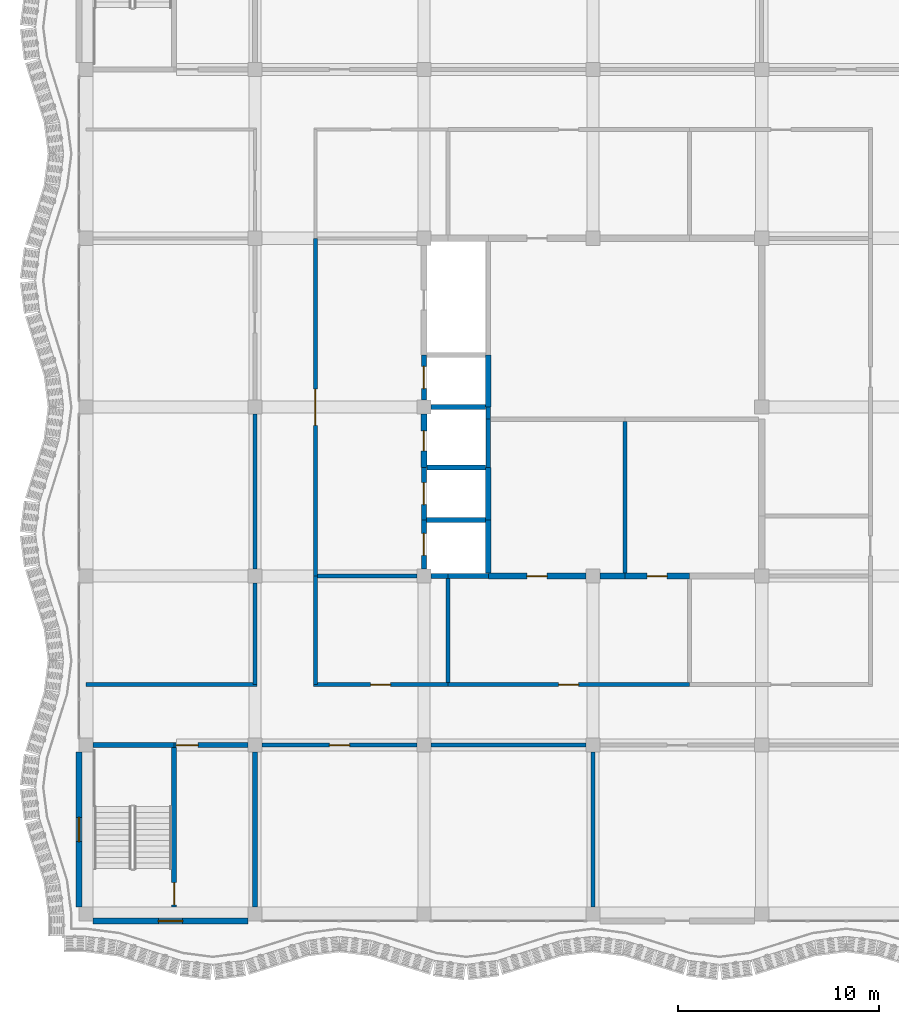
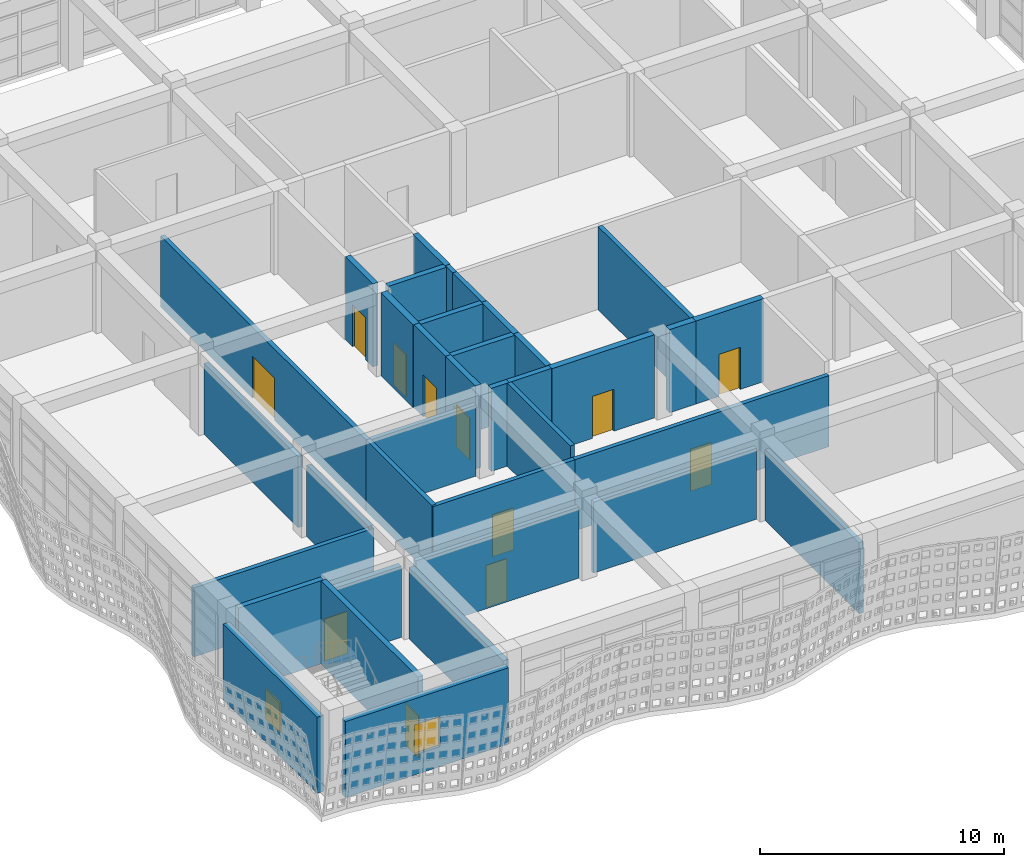
# One storey, part 110 of 163: 36 walls, 12 doors, 2 windows, 14 openings.
"""IFC4 building model written with IfcOpenShell, lengths in metres."""

from ifc_helpers import new_model, si_unit, direction, frame, frame_2d, origin, place, context, subcontext, project, spatial, rectangle, extrude, material, layer, layer_set, type_object, element, fill, save


model = new_model("IFC4")

# Units and contexts
model_context = context("Model", 3, precision=1e-05, world=origin(), true_north=direction((0.0, 1.0)))
body_context = subcontext(model_context, "Body", "Model", "MODEL_VIEW")
ifc_project = project(units=[si_unit("LENGTHUNIT", "METRE"), si_unit("AREAUNIT", "SQUARE_METRE"), si_unit("VOLUMEUNIT", "CUBIC_METRE"), si_unit("PLANEANGLEUNIT", "RADIAN"), si_unit("MASSUNIT", "GRAM", prefix="KILO")], contexts=[model_context])

# Site, building, storey
site_placement = place(None, origin())
site = spatial("IfcSite", under=ifc_project, at=site_placement, CompositionType="ELEMENT")
building_placement = place(site_placement, origin())
building = spatial("IfcBuilding", under=site, at=building_placement, Name="Rain Tree Exposition and Congress Centre", CompositionType="ELEMENT")
storey_placement = place(building_placement, frame((0.0, 0.0, 10.5)))
storey = spatial("IfcBuildingStorey", under=building, at=storey_placement, Name="L02", CompositionType="ELEMENT", Elevation=10.5)

# Wall, opening, door
ifc_material_1 = material(Name="Plasterboard on steel stud", Category="steel")
ifc_layer_1 = layer(ifc_material_1, 0.199951171875)
ifc_layer_set_1 = layer_set([ifc_layer_1], Name="Plasterboard on steel stud")
wall_type_1 = type_object("IfcWallType", Name="Wing acoustic partition 200", PredefinedType="PARTITIONING", material=ifc_layer_set_1)
wall_1_placement = place(storey_placement, frame((8.75, 8.39990234375, 0.0), z_axis=(0.0, 0.0, 1.0), x_axis=(1.0, 0.0, 0.0)))
wall_1 = element("IfcWall", 1, at=wall_1_placement, inside=storey, type_object=wall_type_1, Name="wing/wall/L02/003", PredefinedType="PARTITIONING", context=body_context, shape_type="SweptSolid", body=[
    extrude(rectangle(XDim=7.699951171875, YDim=0.199951171875, at=frame_2d((3.85009765625, 0.0))), origin(), (0.0, 0.0, 1.0), 3.550048828125),
])
opening_1_placement = place(wall_1_placement, frame((3.35009765625, 0.0, 0.0)))
opening_1 = element("IfcOpeningElement", 2, at=opening_1_placement, cuts=wall_1, Name="Opening DW321", PredefinedType="OPENING", context=body_context, shape_type="SweptSolid", body=[
    extrude(rectangle(XDim=1.0, YDim=2.10009765625, at=frame_2d((0.5, 1.050048828125))), frame((0.0, 0.10009765625, 0.0), z_axis=(0.0, -1.0, 0.0), x_axis=(1.0, 0.0, 0.0)), (0.0, 0.0, 1.0), 0.199951171875),
])
ifc_material_2 = material(Name="Timber door leaf", Category="wood")
door_type_1 = type_object("IfcDoorType", Name="Wing door FD30S 1000x2100", OperationType="NOTDEFINED", PredefinedType="DOOR", material=ifc_material_2)
door_1_placement = place(opening_1_placement, origin())
door_1 = element("IfcDoor", 3, at=door_1_placement, inside=storey, type_object=door_type_1, Name="Door DW321", OperationType="SINGLE_SWING_LEFT", OverallHeight=2.10009765625, OverallWidth=1.0, PredefinedType="DOOR", context=body_context, shape_type="SweptSolid", body=[
    extrude(rectangle(XDim=1.0, YDim=2.10009765625, at=frame_2d((0.5, 1.050048828125))), frame((0.0, 0.02490234375, 0.0), z_axis=(0.0, -1.0, 0.0), x_axis=(1.0, 0.0, 0.0)), (0.0, 0.0, 1.0), 0.050048828125),
])
fill(opening_1, door_1)

# Walls
wall_2_placement = place(storey_placement, frame((17.14990234375, 8.39990234375, 0.0), z_axis=(0.0, 0.0, 1.0), x_axis=(1.0, 0.0, 0.0)))
element("IfcWall", 4, at=wall_2_placement, inside=storey, type_object=wall_type_1, Name="wing/wall/L02/004", PredefinedType="PARTITIONING", context=body_context, shape_type="SweptSolid", body=[
    extrude(rectangle(XDim=7.7001953125, YDim=0.199951171875, at=frame_2d((3.85009765625, 0.0))), origin(), (0.0, 0.0, 1.0), 3.550048828125),
])
wall_3_placement = place(storey_placement, frame((0.0, 11.39990234375, 0.0), z_axis=(0.0, 0.0, 1.0), x_axis=(1.0, 0.0, 0.0)))
element("IfcWall", 5, at=wall_3_placement, inside=storey, type_object=wall_type_1, Name="wing/wall/L02/009", PredefinedType="PARTITIONING", context=body_context, shape_type="SweptSolid", body=[
    extrude(rectangle(XDim=8.5, YDim=0.199951171875, at=frame_2d((4.25, 0.0))), origin(), (0.0, 0.0, 1.0), 3.449951171875),
])

# Wall, opening, door
wall_4_placement = place(storey_placement, frame((11.300048828125, 11.39990234375, 0.0), z_axis=(0.0, 0.0, 1.0), x_axis=(1.0, 0.0, 0.0)))
wall_4 = element("IfcWall", 6, at=wall_4_placement, inside=storey, type_object=wall_type_1, Name="wing/wall/L02/010", PredefinedType="PARTITIONING", context=body_context, shape_type="SweptSolid", body=[
    extrude(rectangle(XDim=6.699951171875, YDim=0.199951171875, at=frame_2d((3.35009765625, 0.0))), origin(), (0.0, 0.0, 1.0), 3.550048828125),
])
opening_2_placement = place(wall_4_placement, frame((2.85009765625, 0.0, 0.0)))
opening_2 = element("IfcOpeningElement", 7, at=opening_2_placement, cuts=wall_4, Name="Opening DW329", PredefinedType="OPENING", context=body_context, shape_type="SweptSolid", body=[
    extrude(rectangle(XDim=1.0, YDim=2.10009765625, at=frame_2d((0.5, 1.050048828125))), frame((0.0, 0.10009765625, 0.0), z_axis=(0.0, -1.0, 0.0), x_axis=(1.0, 0.0, 0.0)), (0.0, 0.0, 1.0), 0.199951171875),
])
door_2_placement = place(opening_2_placement, origin())
door_2 = element("IfcDoor", 8, at=door_2_placement, inside=storey, type_object=door_type_1, Name="Door DW329", OperationType="SINGLE_SWING_LEFT", OverallHeight=2.10009765625, OverallWidth=1.0, PredefinedType="DOOR", context=body_context, shape_type="SweptSolid", body=[
    extrude(rectangle(XDim=1.0, YDim=2.10009765625, at=frame_2d((0.5, 1.050048828125))), frame((0.0, 0.02490234375, 0.0), z_axis=(0.0, -1.0, 0.0), x_axis=(1.0, 0.0, 0.0)), (0.0, 0.0, 1.0), 0.050048828125),
])
fill(opening_2, door_2)

wall_5_placement = place(storey_placement, frame((18.0, 11.39990234375, 0.0), z_axis=(0.0, 0.0, 1.0), x_axis=(1.0, 0.0, 0.0)))
wall_5 = element("IfcWall", 9, at=wall_5_placement, inside=storey, type_object=wall_type_1, Name="wing/wall/L02/011", PredefinedType="PARTITIONING", context=body_context, shape_type="SweptSolid", body=[
    extrude(rectangle(XDim=12.0, YDim=0.199951171875, at=frame_2d((6.0, 0.0))), origin(), (0.0, 0.0, 1.0), 3.550048828125),
])
opening_3_placement = place(wall_5_placement, frame((5.5, 0.0, 0.0)))
opening_3 = element("IfcOpeningElement", 10, at=opening_3_placement, cuts=wall_5, Name="Opening DW317", PredefinedType="OPENING", context=body_context, shape_type="SweptSolid", body=[
    extrude(rectangle(XDim=1.0, YDim=2.10009765625, at=frame_2d((0.5, 1.050048828125))), frame((0.0, 0.10009765625, 0.0), z_axis=(0.0, -1.0, 0.0), x_axis=(1.0, 0.0, 0.0)), (0.0, 0.0, 1.0), 0.199951171875),
])
door_3_placement = place(opening_3_placement, origin())
door_3 = element("IfcDoor", 11, at=door_3_placement, inside=storey, type_object=door_type_1, Name="Door DW317", OperationType="SINGLE_SWING_LEFT", OverallHeight=2.10009765625, OverallWidth=1.0, PredefinedType="DOOR", context=body_context, shape_type="SweptSolid", body=[
    extrude(rectangle(XDim=1.0, YDim=2.10009765625, at=frame_2d((0.5, 1.050048828125))), frame((0.0, 0.02490234375, 0.0), z_axis=(0.0, -1.0, 0.0), x_axis=(1.0, 0.0, 0.0)), (0.0, 0.0, 1.0), 0.050048828125),
])
fill(opening_3, door_3)

# Walls
wall_6_placement = place(storey_placement, frame((11.5, 16.800048828125, 0.0), z_axis=(0.0, 0.0, 1.0), x_axis=(1.0, 0.0, 0.0)))
element("IfcWall", 12, at=wall_6_placement, inside=storey, type_object=wall_type_1, Name="wing/wall/L02/014", PredefinedType="PARTITIONING", context=body_context, shape_type="SweptSolid", body=[
    extrude(rectangle(XDim=4.949951171875, YDim=0.199951171875, at=frame_2d((2.47509765625, 0.0))), origin(), (0.0, 0.0, 1.0), 3.550048828125),
])
wall_7_placement = place(storey_placement, frame((8.39990234375, 11.39990234375, 0.0), z_axis=(0.0, 0.0, 1.0), x_axis=(0.0, 1.0, 0.0)))
element("IfcWall", 13, at=wall_7_placement, inside=storey, type_object=wall_type_1, Name="wing/wall/L02/054", PredefinedType="PARTITIONING", context=body_context, shape_type="SweptSolid", body=[
    extrude(rectangle(XDim=5.050048828125, YDim=0.199951171875, at=frame_2d((2.52490234375, 0.0))), origin(), (0.0, 0.0, 1.0), 3.550048828125),
])
wall_8_placement = place(storey_placement, frame((8.39990234375, 17.14990234375, 0.0), z_axis=(0.0, 0.0, 1.0), x_axis=(0.0, 1.0, 0.0)))
element("IfcWall", 14, at=wall_8_placement, inside=storey, type_object=wall_type_1, Name="wing/wall/L02/055", PredefinedType="PARTITIONING", context=body_context, shape_type="SweptSolid", body=[
    extrude(rectangle(XDim=7.7001953125, YDim=0.199951171875, at=frame_2d((3.85009765625, 0.0))), origin(), (0.0, 0.0, 1.0), 3.550048828125),
])
wall_9_placement = place(storey_placement, frame((11.39990234375, 11.39990234375, 0.0), z_axis=(0.0, 0.0, 1.0), x_axis=(0.0, 1.0, 0.0)))
element("IfcWall", 15, at=wall_9_placement, inside=storey, type_object=wall_type_1, Name="wing/wall/L02/059", PredefinedType="PARTITIONING", context=body_context, shape_type="SweptSolid", body=[
    extrude(rectangle(XDim=5.400146484375, YDim=0.199951171875, at=frame_2d((2.7001953125, 0.0))), origin(), (0.0, 0.0, 1.0), 3.550048828125),
])

# Wall, opening, door
wall_10_placement = place(storey_placement, frame((11.39990234375, 16.800048828125, 0.0), z_axis=(0.0, 0.0, 1.0), x_axis=(0.0, 1.0, 0.0)))
wall_10 = element("IfcWall", 16, at=wall_10_placement, inside=storey, type_object=wall_type_1, Name="wing/wall/L02/060", PredefinedType="PARTITIONING", context=body_context, shape_type="SweptSolid", body=[
    extrude(rectangle(XDim=16.800048828125, YDim=0.199951171875, at=frame_2d((8.39990234375, 0.0))), origin(), (0.0, 0.0, 1.0), 3.550048828125),
])
opening_4_placement = place(wall_10_placement, frame((7.5, 0.0, 0.0)))
opening_4 = element("IfcOpeningElement", 17, at=opening_4_placement, cuts=wall_10, Name="Opening DW319", PredefinedType="OPENING", context=body_context, shape_type="SweptSolid", body=[
    extrude(rectangle(XDim=1.800048828125, YDim=2.10009765625, at=frame_2d((0.89990234375, 1.050048828125))), frame((0.0, 0.10009765625, 0.0), z_axis=(0.0, -1.0, 0.0), x_axis=(1.0, 0.0, 0.0)), (0.0, 0.0, 1.0), 0.199951171875),
])
ifc_material_3 = material(Name="Timber door leaf", Category="wood")
door_type_2 = type_object("IfcDoorType", Name="Wing door FD30S 1800x2100 double", OperationType="DOUBLE_DOOR_DOUBLE_SWING", PredefinedType="DOOR", material=ifc_material_3)
door_4_placement = place(opening_4_placement, origin())
door_4 = element("IfcDoor", 18, at=door_4_placement, inside=storey, type_object=door_type_2, Name="Door DW319", OperationType="DOUBLE_DOOR_DOUBLE_SWING", OverallHeight=2.10009765625, OverallWidth=1.800048828125, PredefinedType="DOOR", context=body_context, shape_type="SweptSolid", body=[
    extrude(rectangle(XDim=1.800048828125, YDim=2.10009765625, at=frame_2d((0.89990234375, 1.050048828125))), frame((0.0, 0.02490234375, 0.0), z_axis=(0.0, -1.0, 0.0), x_axis=(1.0, 0.0, 0.0)), (0.0, 0.0, 1.0), 0.050048828125),
])
fill(opening_4, door_4)

# Walls
wall_11_placement = place(storey_placement, frame((18.0, 11.5, 0.0), z_axis=(0.0, 0.0, 1.0), x_axis=(0.0, 1.0, 0.0)))
element("IfcWall", 19, at=wall_11_placement, inside=storey, type_object=wall_type_1, Name="wing/wall/L02/067", PredefinedType="PARTITIONING", context=body_context, shape_type="SweptSolid", body=[
    extrude(rectangle(XDim=5.175048828125, YDim=0.199951171875, at=frame_2d((2.58740234375, 0.0))), origin(), (0.0, 0.0, 1.0), 4.14990234375),
])
wall_12_placement = place(storey_placement, frame((25.199951171875, 0.35009765625, 0.0), z_axis=(0.0, 0.0, 1.0), x_axis=(0.0, 1.0, 0.0)))
element("IfcWall", 20, at=wall_12_placement, inside=storey, type_object=wall_type_1, Name="wing/wall/L02/075", PredefinedType="PARTITIONING", context=body_context, shape_type="SweptSolid", body=[
    extrude(rectangle(XDim=7.699951171875, YDim=0.199951171875, at=frame_2d((3.85009765625, 0.0))), origin(), (0.0, 0.0, 1.0), 3.550048828125),
])
wall_13_placement = place(storey_placement, frame((26.800048828125, 16.949951171875, 0.0), z_axis=(0.0, 0.0, 1.0), x_axis=(0.0, 1.0, 0.0)))
element("IfcWall", 21, at=wall_13_placement, inside=storey, type_object=wall_type_1, Name="wing/wall/L02/076", PredefinedType="PARTITIONING", context=body_context, shape_type="SweptSolid", body=[
    extrude(rectangle(XDim=7.550048828125, YDim=0.199951171875, at=frame_2d((3.77490234375, 0.0))), origin(), (0.0, 0.0, 1.0), 4.14990234375),
])

# Wall, opening, door
ifc_material_4 = material(Name="Concrete C40/50", Category="concrete")
ifc_layer_2 = layer(ifc_material_4, 0.300048828125)
ifc_layer_set_2 = layer_set([ifc_layer_2], Name="Concrete C40/50")
wall_type_2 = type_object("IfcWallType", Name="Wing core wall 300", PredefinedType="SHEAR", material=ifc_layer_set_2)
wall_14_placement = place(storey_placement, frame((20.0, 16.800048828125, 0.0), z_axis=(0.0, 0.0, 1.0), x_axis=(1.0, 0.0, 0.0)))
wall_14 = element("IfcWall", 22, at=wall_14_placement, inside=storey, type_object=wall_type_2, Name="wing/wall/L02/017", PredefinedType="SHEAR", context=body_context, shape_type="SweptSolid", body=[
    extrude(rectangle(XDim=4.85009765625, YDim=0.300048828125, at=frame_2d((2.425048828125, 0.0))), origin(), (0.0, 0.0, 1.0), 4.14990234375),
])
opening_5_placement = place(wall_14_placement, frame((1.925048828125, 0.0, 0.0)))
opening_5 = element("IfcOpeningElement", 23, at=opening_5_placement, cuts=wall_14, Name="Opening DW314", PredefinedType="OPENING", context=body_context, shape_type="SweptSolid", body=[
    extrude(rectangle(XDim=1.0, YDim=2.10009765625, at=frame_2d((0.5, 1.050048828125))), frame((0.0, 0.14990234375, 0.0), z_axis=(0.0, -1.0, 0.0), x_axis=(1.0, 0.0, 0.0)), (0.0, 0.0, 1.0), 0.300048828125),
])
ifc_material_5 = material(Name="Timber door leaf", Category="wood")
door_type_3 = type_object("IfcDoorType", Name="Wing door FD60 1000x2100", OperationType="NOTDEFINED", PredefinedType="DOOR", material=ifc_material_5)
door_5_placement = place(opening_5_placement, origin())
door_5 = element("IfcDoor", 24, at=door_5_placement, inside=storey, type_object=door_type_3, Name="Door DW314", OperationType="SINGLE_SWING_LEFT", OverallHeight=2.10009765625, OverallWidth=1.0, PredefinedType="DOOR", context=body_context, shape_type="SweptSolid", body=[
    extrude(rectangle(XDim=1.0, YDim=2.10009765625, at=frame_2d((0.5, 1.050048828125))), frame((0.0, 0.02490234375, 0.0), z_axis=(0.0, -1.0, 0.0), x_axis=(1.0, 0.0, 0.0)), (0.0, 0.0, 1.0), 0.050048828125),
])
fill(opening_5, door_5)

# Wall
wall_15_placement = place(storey_placement, frame((25.550048828125, 16.800048828125, 0.0), z_axis=(0.0, 0.0, 1.0), x_axis=(1.0, 0.0, 0.0)))
element("IfcWall", 25, at=wall_15_placement, inside=storey, type_object=wall_type_2, Name="wing/wall/L02/018", PredefinedType="SHEAR", context=body_context, shape_type="SweptSolid", body=[
    extrude(rectangle(XDim=1.25, YDim=0.300048828125, at=frame_2d((0.625, 0.0))), origin(), (0.0, 0.0, 1.0), 4.14990234375),
])

# Wall, opening, door
wall_16_placement = place(storey_placement, frame((26.800048828125, 16.800048828125, 0.0), z_axis=(0.0, 0.0, 1.0), x_axis=(1.0, 0.0, 0.0)))
wall_16 = element("IfcWall", 26, at=wall_16_placement, inside=storey, type_object=wall_type_2, Name="wing/wall/L02/019", PredefinedType="SHEAR", context=body_context, shape_type="SweptSolid", body=[
    extrude(rectangle(XDim=3.199951171875, YDim=0.300048828125, at=frame_2d((1.60009765625, 0.0))), origin(), (0.0, 0.0, 1.0), 4.14990234375),
])
opening_6_placement = place(wall_16_placement, frame((1.10009765625, 0.0, 0.0)))
opening_6 = element("IfcOpeningElement", 27, at=opening_6_placement, cuts=wall_16, Name="Opening DW315", PredefinedType="OPENING", context=body_context, shape_type="SweptSolid", body=[
    extrude(rectangle(XDim=1.0, YDim=2.10009765625, at=frame_2d((0.5, 1.050048828125))), frame((0.0, 0.14990234375, 0.0), z_axis=(0.0, -1.0, 0.0), x_axis=(1.0, 0.0, 0.0)), (0.0, 0.0, 1.0), 0.300048828125),
])
door_6_placement = place(opening_6_placement, origin())
door_6 = element("IfcDoor", 28, at=door_6_placement, inside=storey, type_object=door_type_3, Name="Door DW315", OperationType="SINGLE_SWING_LEFT", OverallHeight=2.10009765625, OverallWidth=1.0, PredefinedType="DOOR", context=body_context, shape_type="SweptSolid", body=[
    extrude(rectangle(XDim=1.0, YDim=2.10009765625, at=frame_2d((0.5, 1.050048828125))), frame((0.0, 0.02490234375, 0.0), z_axis=(0.0, -1.0, 0.0), x_axis=(1.0, 0.0, 0.0)), (0.0, 0.0, 1.0), 0.050048828125),
])
fill(opening_6, door_6)

wall_17_placement = place(storey_placement, frame((16.800048828125, 22.199951171875, 0.0), z_axis=(0.0, 0.0, 1.0), x_axis=(0.0, 1.0, 0.0)))
wall_17 = element("IfcWall", 29, at=wall_17_placement, inside=storey, type_object=wall_type_2, Name="wing/wall/L02/064", PredefinedType="SHEAR", context=body_context, shape_type="SweptSolid", body=[
    extrude(rectangle(XDim=2.650146484375, YDim=0.300048828125, at=frame_2d((1.3251953125, 0.0))), origin(), (0.0, 0.0, 1.0), 4.14990234375),
])
opening_7_placement = place(wall_17_placement, frame((0.824951171875, 0.0, 0.0)))
opening_7 = element("IfcOpeningElement", 30, at=opening_7_placement, cuts=wall_17, Name="Opening DW311", PredefinedType="OPENING", context=body_context, shape_type="SweptSolid", body=[
    extrude(rectangle(XDim=1.0, YDim=2.10009765625, at=frame_2d((0.5, 1.050048828125))), frame((0.0, 0.14990234375, 0.0), z_axis=(0.0, -1.0, 0.0), x_axis=(1.0, 0.0, 0.0)), (0.0, 0.0, 1.0), 0.300048828125),
])
ifc_material_6 = material(Name="Timber door leaf", Category="wood")
door_type_4 = type_object("IfcDoorType", Name="Wing riser access door FD60 1000x2100", OperationType="NOTDEFINED", PredefinedType="DOOR", material=ifc_material_6)
door_7_placement = place(opening_7_placement, origin())
door_7 = element("IfcDoor", 31, at=door_7_placement, inside=storey, type_object=door_type_4, Name="Riser access door DW311", OperationType="SINGLE_SWING_LEFT", OverallHeight=2.10009765625, OverallWidth=1.0, PredefinedType="DOOR", context=body_context, shape_type="SweptSolid", body=[
    extrude(rectangle(XDim=1.0, YDim=2.10009765625, at=frame_2d((0.5, 1.050048828125))), frame((0.0, 0.02490234375, 0.0), z_axis=(0.0, -1.0, 0.0), x_axis=(1.0, 0.0, 0.0)), (0.0, 0.0, 1.0), 0.050048828125),
])
fill(opening_7, door_7)

# Wall, opening, window
ifc_material_7 = material(Name="Insulated cavity wall")
ifc_layer_3 = layer(ifc_material_7, 0.300048828125)
ifc_layer_set_3 = layer_set([ifc_layer_3], Name="Insulated cavity wall")
wall_type_3 = type_object("IfcWallType", Name="Wing external wall 300", PredefinedType="SOLIDWALL", material=ifc_layer_set_3)
wall_18_placement = place(storey_placement, frame((0.35009765625, -0.35009765625, 0.0), z_axis=(0.0, 0.0, 1.0), x_axis=(1.0, 0.0, 0.0)))
wall_18 = element("IfcWall", 32, at=wall_18_placement, inside=storey, type_object=wall_type_3, Name="wing/facade/L02/S0", PredefinedType="SOLIDWALL", context=body_context, shape_type="SweptSolid", body=[
    extrude(rectangle(XDim=7.699951171875, YDim=0.300048828125, at=frame_2d((3.85009765625, 0.0))), origin(), (0.0, 0.0, 1.0), 3.800048828125),
])
opening_8_placement = place(wall_18_placement, frame((3.25, 0.0, 1.0)))
opening_8 = element("IfcOpeningElement", 33, at=opening_8_placement, cuts=wall_18, Name="Opening WW301", PredefinedType="OPENING", context=body_context, shape_type="SweptSolid", body=[
    extrude(rectangle(XDim=1.199951171875, YDim=1.5, at=frame_2d((0.60009765625, 0.75))), frame((0.0, 0.14990234375, 0.0), z_axis=(0.0, -1.0, 0.0), x_axis=(1.0, 0.0, 0.0)), (0.0, 0.0, 1.0), 0.300048828125),
])
ifc_material_8 = material(Name="Aluminium framed glazing", Category="aluminium")
window_type = type_object("IfcWindowType", Name="Wing window 1200x1500", PartitioningType="SINGLE_PANEL", PredefinedType="WINDOW", material=ifc_material_8)
window_1_placement = place(opening_8_placement, origin())
window_1 = element("IfcWindow", 34, at=window_1_placement, inside=storey, type_object=window_type, Name="wing/window/L02/01", OverallHeight=1.5, OverallWidth=1.199951171875, PartitioningType="SINGLE_PANEL", PredefinedType="WINDOW", context=body_context, shape_type="SweptSolid", body=[
    extrude(rectangle(XDim=1.199951171875, YDim=1.5, at=frame_2d((0.60009765625, 0.75))), frame((0.0, 0.030029296875, 0.0), z_axis=(0.0, -1.0, 0.0), x_axis=(1.0, 0.0, 0.0)), (0.0, 0.0, 1.0), 0.06005859375),
])
fill(opening_8, window_1)

wall_19_placement = place(storey_placement, frame((-0.35009765625, 0.35009765625, 0.0), z_axis=(0.0, 0.0, 1.0), x_axis=(0.0, 1.0, 0.0)))
wall_19 = element("IfcWall", 35, at=wall_19_placement, inside=storey, type_object=wall_type_3, Name="wing/facade/L02/W0", PredefinedType="SOLIDWALL", context=body_context, shape_type="SweptSolid", body=[
    extrude(rectangle(XDim=7.699951171875, YDim=0.300048828125, at=frame_2d((3.85009765625, 0.0))), origin(), (0.0, 0.0, 1.0), 3.800048828125),
])
opening_9_placement = place(wall_19_placement, frame((3.25, 0.0, 1.0)))
opening_9 = element("IfcOpeningElement", 36, at=opening_9_placement, cuts=wall_19, Name="Opening WW305", PredefinedType="OPENING", context=body_context, shape_type="SweptSolid", body=[
    extrude(rectangle(XDim=1.199951171875, YDim=1.5, at=frame_2d((0.60009765625, 0.75))), frame((0.0, 0.14990234375, 0.0), z_axis=(0.0, -1.0, 0.0), x_axis=(1.0, 0.0, 0.0)), (0.0, 0.0, 1.0), 0.300048828125),
])
window_2_placement = place(opening_9_placement, origin())
window_2 = element("IfcWindow", 37, at=window_2_placement, inside=storey, type_object=window_type, Name="wing/window/L02/05", OverallHeight=1.5, OverallWidth=1.199951171875, PartitioningType="SINGLE_PANEL", PredefinedType="WINDOW", context=body_context, shape_type="SweptSolid", body=[
    extrude(rectangle(XDim=1.199951171875, YDim=1.5, at=frame_2d((0.60009765625, 0.75))), frame((0.0, 0.030029296875, 0.0), z_axis=(0.0, -1.0, 0.0), x_axis=(1.0, 0.0, 0.0)), (0.0, 0.0, 1.0), 0.06005859375),
])
fill(opening_9, window_2)

# Walls
ifc_material_9 = material(Name="Concrete C40/50", Category="concrete")
ifc_layer_4 = layer(ifc_material_9, 0.25)
ifc_layer_set_4 = layer_set([ifc_layer_4], Name="Concrete C40/50")
wall_type_4 = type_object("IfcWallType", Name="Wing lift shaft wall 250", PredefinedType="SHEAR", material=ifc_layer_set_4)
wall_20_placement = place(storey_placement, frame((17.14990234375, 16.800048828125, 0.0), z_axis=(0.0, 0.0, 1.0), x_axis=(1.0, 0.0, 0.0)))
element("IfcWall", 38, at=wall_20_placement, inside=storey, type_object=wall_type_4, Name="wing/wall/L02/015", PredefinedType="SHEAR", context=body_context, shape_type="SweptSolid", body=[
    extrude(rectangle(XDim=0.85009765625, YDim=0.25, at=frame_2d((0.425048828125, 0.0))), origin(), (0.0, 0.0, 1.0), 4.14990234375),
])
wall_21_placement = place(storey_placement, frame((18.0, 16.800048828125, 0.0), z_axis=(0.0, 0.0, 1.0), x_axis=(1.0, 0.0, 0.0)))
element("IfcWall", 39, at=wall_21_placement, inside=storey, type_object=wall_type_4, Name="wing/wall/L02/016", PredefinedType="SHEAR", context=body_context, shape_type="SweptSolid", body=[
    extrude(rectangle(XDim=2.0, YDim=0.25, at=frame_2d((1.0, 0.0))), origin(), (0.0, 0.0, 1.0), 4.14990234375),
])
wall_22_placement = place(storey_placement, frame((16.925048828125, 19.60009765625, 0.0), z_axis=(0.0, 0.0, 1.0), x_axis=(1.0, 0.0, 0.0)))
element("IfcWall", 40, at=wall_22_placement, inside=storey, type_object=wall_type_4, Name="wing/wall/L02/022", PredefinedType="SHEAR", context=body_context, shape_type="SweptSolid", body=[
    extrude(rectangle(XDim=2.949951171875, YDim=0.25, at=frame_2d((1.47509765625, 0.0))), origin(), (0.0, 0.0, 1.0), 4.14990234375),
])
wall_23_placement = place(storey_placement, frame((16.949951171875, 22.199951171875, 0.0), z_axis=(0.0, 0.0, 1.0), x_axis=(1.0, 0.0, 0.0)))
element("IfcWall", 41, at=wall_23_placement, inside=storey, type_object=wall_type_4, Name="wing/wall/L02/025", PredefinedType="SHEAR", context=body_context, shape_type="SweptSolid", body=[
    extrude(rectangle(XDim=2.925048828125, YDim=0.25, at=frame_2d((1.46240234375, 0.0))), origin(), (0.0, 0.0, 1.0), 4.14990234375),
])
wall_24_placement = place(storey_placement, frame((17.14990234375, 25.199951171875, 0.0), z_axis=(0.0, 0.0, 1.0), x_axis=(1.0, 0.0, 0.0)))
element("IfcWall", 42, at=wall_24_placement, inside=storey, type_object=wall_type_4, Name="wing/wall/L02/028", PredefinedType="SHEAR", context=body_context, shape_type="SweptSolid", body=[
    extrude(rectangle(XDim=2.72509765625, YDim=0.25, at=frame_2d((1.362548828125, 0.0))), origin(), (0.0, 0.0, 1.0), 4.14990234375),
])

# Wall, opening, door
wall_25_placement = place(storey_placement, frame((16.800048828125, 17.14990234375, 0.0), z_axis=(0.0, 0.0, 1.0), x_axis=(0.0, 1.0, 0.0)))
wall_25 = element("IfcWall", 43, at=wall_25_placement, inside=storey, type_object=wall_type_4, Name="wing/wall/L02/062", PredefinedType="SHEAR", context=body_context, shape_type="SweptSolid", body=[
    extrude(rectangle(XDim=2.4501953125, YDim=0.25, at=frame_2d((1.22509765625, 0.0))), origin(), (0.0, 0.0, 1.0), 4.14990234375),
])
opening_10_placement = place(wall_25_placement, frame((0.675048828125, 0.0, 0.0)))
opening_10 = element("IfcOpeningElement", 44, at=opening_10_placement, cuts=wall_25, Name="Opening DW309", PredefinedType="OPENING", context=body_context, shape_type="SweptSolid", body=[
    extrude(rectangle(XDim=1.10009765625, YDim=2.10009765625, at=frame_2d((0.550048828125, 1.050048828125))), frame((0.0, 0.125, 0.0), z_axis=(0.0, -1.0, 0.0), x_axis=(1.0, 0.0, 0.0)), (0.0, 0.0, 1.0), 0.25),
])
ifc_material_10 = material(Name="Stainless steel", Category="steel")
door_type_5 = type_object("IfcDoorType", Name="Lift landing door 1100x2100", OperationType="DOUBLE_DOOR_SLIDING", PredefinedType="DOOR", material=ifc_material_10)
door_8_placement = place(opening_10_placement, origin())
door_8 = element("IfcDoor", 45, at=door_8_placement, inside=storey, type_object=door_type_5, Name="Landing door DW309", OperationType="DOUBLE_DOOR_SLIDING", OverallHeight=2.10009765625, OverallWidth=1.10009765625, PredefinedType="DOOR", context=body_context, shape_type="SweptSolid", body=[
    extrude(rectangle(XDim=1.10009765625, YDim=2.10009765625, at=frame_2d((0.550048828125, 1.050048828125))), frame((0.0, 0.02490234375, 0.0), z_axis=(0.0, -1.0, 0.0), x_axis=(1.0, 0.0, 0.0)), (0.0, 0.0, 1.0), 0.050048828125),
])
fill(opening_10, door_8)

wall_26_placement = place(storey_placement, frame((16.800048828125, 19.60009765625, 0.0), z_axis=(0.0, 0.0, 1.0), x_axis=(0.0, 1.0, 0.0)))
wall_26 = element("IfcWall", 46, at=wall_26_placement, inside=storey, type_object=wall_type_4, Name="wing/wall/L02/063", PredefinedType="SHEAR", context=body_context, shape_type="SweptSolid", body=[
    extrude(rectangle(XDim=2.599853515625, YDim=0.25, at=frame_2d((1.2998046875, 0.0))), origin(), (0.0, 0.0, 1.0), 4.14990234375),
])
opening_11_placement = place(wall_26_placement, frame((0.75, 0.0, 0.0)))
opening_11 = element("IfcOpeningElement", 47, at=opening_11_placement, cuts=wall_26, Name="Opening DW310", PredefinedType="OPENING", context=body_context, shape_type="SweptSolid", body=[
    extrude(rectangle(XDim=1.10009765625, YDim=2.10009765625, at=frame_2d((0.550048828125, 1.050048828125))), frame((0.0, 0.125, 0.0), z_axis=(0.0, -1.0, 0.0), x_axis=(1.0, 0.0, 0.0)), (0.0, 0.0, 1.0), 0.25),
])
door_9_placement = place(opening_11_placement, origin())
door_9 = element("IfcDoor", 48, at=door_9_placement, inside=storey, type_object=door_type_5, Name="Landing door DW310", OperationType="DOUBLE_DOOR_SLIDING", OverallHeight=2.10009765625, OverallWidth=1.10009765625, PredefinedType="DOOR", context=body_context, shape_type="SweptSolid", body=[
    extrude(rectangle(XDim=1.10009765625, YDim=2.10009765625, at=frame_2d((0.550048828125, 1.050048828125))), frame((0.0, 0.02490234375, 0.0), z_axis=(0.0, -1.0, 0.0), x_axis=(1.0, 0.0, 0.0)), (0.0, 0.0, 1.0), 0.050048828125),
])
fill(opening_11, door_9)

wall_27_placement = place(storey_placement, frame((16.800048828125, 25.550048828125, 0.0), z_axis=(0.0, 0.0, 1.0), x_axis=(0.0, 1.0, 0.0)))
wall_27 = element("IfcWall", 49, at=wall_27_placement, inside=storey, type_object=wall_type_4, Name="wing/wall/L02/065", PredefinedType="SHEAR", context=body_context, shape_type="SweptSolid", body=[
    extrude(rectangle(XDim=2.25, YDim=0.25, at=frame_2d((1.125, 0.0))), origin(), (0.0, 0.0, 1.0), 4.14990234375),
])
opening_12_placement = place(wall_27_placement, frame((0.574951171875, 0.0, 0.0)))
opening_12 = element("IfcOpeningElement", 50, at=opening_12_placement, cuts=wall_27, Name="Opening DW312", PredefinedType="OPENING", context=body_context, shape_type="SweptSolid", body=[
    extrude(rectangle(XDim=1.10009765625, YDim=2.10009765625, at=frame_2d((0.550048828125, 1.050048828125))), frame((0.0, 0.125, 0.0), z_axis=(0.0, -1.0, 0.0), x_axis=(1.0, 0.0, 0.0)), (0.0, 0.0, 1.0), 0.25),
])
door_10_placement = place(opening_12_placement, origin())
door_10 = element("IfcDoor", 51, at=door_10_placement, inside=storey, type_object=door_type_5, Name="Landing door DW312", OperationType="DOUBLE_DOOR_SLIDING", OverallHeight=2.10009765625, OverallWidth=1.10009765625, PredefinedType="DOOR", context=body_context, shape_type="SweptSolid", body=[
    extrude(rectangle(XDim=1.10009765625, YDim=2.10009765625, at=frame_2d((0.550048828125, 1.050048828125))), frame((0.0, 0.02490234375, 0.0), z_axis=(0.0, -1.0, 0.0), x_axis=(1.0, 0.0, 0.0)), (0.0, 0.0, 1.0), 0.050048828125),
])
fill(opening_12, door_10)

# Walls
wall_28_placement = place(storey_placement, frame((20.0, 16.949951171875, 0.0), z_axis=(0.0, 0.0, 1.0), x_axis=(0.0, 1.0, 0.0)))
element("IfcWall", 52, at=wall_28_placement, inside=storey, type_object=wall_type_4, Name="wing/wall/L02/069", PredefinedType="SHEAR", context=body_context, shape_type="SweptSolid", body=[
    extrude(rectangle(XDim=2.650146484375, YDim=0.25, at=frame_2d((1.3251953125, 0.0))), origin(), (0.0, 0.0, 1.0), 4.14990234375),
])
wall_29_placement = place(storey_placement, frame((20.0, 19.60009765625, 0.0), z_axis=(0.0, 0.0, 1.0), x_axis=(0.0, 1.0, 0.0)))
element("IfcWall", 53, at=wall_29_placement, inside=storey, type_object=wall_type_4, Name="wing/wall/L02/070", PredefinedType="SHEAR", context=body_context, shape_type="SweptSolid", body=[
    extrude(rectangle(XDim=2.599853515625, YDim=0.25, at=frame_2d((1.2998046875, 0.0))), origin(), (0.0, 0.0, 1.0), 4.14990234375),
])
wall_30_placement = place(storey_placement, frame((20.0, 25.199951171875, 0.0), z_axis=(0.0, 0.0, 1.0), x_axis=(0.0, 1.0, 0.0)))
element("IfcWall", 54, at=wall_30_placement, inside=storey, type_object=wall_type_4, Name="wing/wall/L02/073", PredefinedType="SHEAR", context=body_context, shape_type="SweptSolid", body=[
    extrude(rectangle(XDim=2.60009765625, YDim=0.25, at=frame_2d((1.300048828125, 0.0))), origin(), (0.0, 0.0, 1.0), 4.14990234375),
])
ifc_material_11 = material(Name="Dense blockwork", Category="masonry")
ifc_layer_5 = layer(ifc_material_11, 0.199951171875)
ifc_layer_set_5 = layer_set([ifc_layer_5], Name="Dense blockwork")
wall_type_5 = type_object("IfcWallType", Name="Wing plant room wall 200", PredefinedType="SOLIDWALL", material=ifc_layer_set_5)
wall_31_placement = place(storey_placement, frame((20.0, 24.60009765625, 0.0), z_axis=(0.0, 0.0, 1.0), x_axis=(0.0, 1.0, 0.0)))
element("IfcWall", 55, at=wall_31_placement, inside=storey, type_object=wall_type_5, Name="wing/wall/L02/072", PredefinedType="SOLIDWALL", context=body_context, shape_type="SweptSolid", body=[
    extrude(rectangle(XDim=0.599853515625, YDim=0.199951171875, at=frame_2d((0.2998046875, 0.0))), origin(), (0.0, 0.0, 1.0), 4.14990234375),
])
ifc_material_12 = material(Name="Dense blockwork", Category="masonry")
ifc_layer_6 = layer(ifc_material_12, 0.199951171875)
ifc_layer_set_6 = layer_set([ifc_layer_6], Name="Dense blockwork")
wall_type_6 = type_object("IfcWallType", Name="Wing riser wall 200", PredefinedType="SOLIDWALL", material=ifc_layer_set_6)
wall_32_placement = place(storey_placement, frame((20.0, 22.199951171875, 0.0), z_axis=(0.0, 0.0, 1.0), x_axis=(0.0, 1.0, 0.0)))
element("IfcWall", 56, at=wall_32_placement, inside=storey, type_object=wall_type_6, Name="wing/wall/L02/071", PredefinedType="SOLIDWALL", context=body_context, shape_type="SweptSolid", body=[
    extrude(rectangle(XDim=2.400146484375, YDim=0.199951171875, at=frame_2d((1.2001953125, 0.0))), origin(), (0.0, 0.0, 1.0), 4.14990234375),
])
ifc_material_13 = material(Name="Concrete C40/50", Category="concrete")
ifc_layer_7 = layer(ifc_material_13, 0.25)
ifc_layer_set_7 = layer_set([ifc_layer_7], Name="Concrete C40/50")
wall_type_7 = type_object("IfcWallType", Name="Wing stair wall 250", PredefinedType="SHEAR", material=ifc_layer_set_7)
wall_33_placement = place(storey_placement, frame((0.35009765625, 8.39990234375, 0.0), z_axis=(0.0, 0.0, 1.0), x_axis=(1.0, 0.0, 0.0)))
element("IfcWall", 57, at=wall_33_placement, inside=storey, type_object=wall_type_7, Name="wing/wall/L02/001", PredefinedType="SHEAR", context=body_context, shape_type="SweptSolid", body=[
    extrude(rectangle(XDim=4.02490234375, YDim=0.25, at=frame_2d((2.012451171875, 0.0))), origin(), (0.0, 0.0, 1.0), 4.14990234375),
])

# Wall, opening, door
wall_34_placement = place(storey_placement, frame((4.375, 8.39990234375, 0.0), z_axis=(0.0, 0.0, 1.0), x_axis=(1.0, 0.0, 0.0)))
wall_34 = element("IfcWall", 58, at=wall_34_placement, inside=storey, type_object=wall_type_7, Name="wing/wall/L02/002", PredefinedType="SHEAR", context=body_context, shape_type="SweptSolid", body=[
    extrude(rectangle(XDim=3.675048828125, YDim=0.25, at=frame_2d((1.83740234375, 0.0))), origin(), (0.0, 0.0, 1.0), 3.550048828125),
])
opening_13_placement = place(wall_34_placement, frame((0.10009765625, 0.0, 0.0)))
opening_13 = element("IfcOpeningElement", 59, at=opening_13_placement, cuts=wall_34, Name="Opening DW302", PredefinedType="OPENING", context=body_context, shape_type="SweptSolid", body=[
    extrude(rectangle(XDim=1.10009765625, YDim=2.10009765625, at=frame_2d((0.550048828125, 1.050048828125))), frame((0.0, 0.125, 0.0), z_axis=(0.0, -1.0, 0.0), x_axis=(1.0, 0.0, 0.0)), (0.0, 0.0, 1.0), 0.25),
])
ifc_material_14 = material(Name="Timber door leaf", Category="wood")
door_type_6 = type_object("IfcDoorType", Name="Wing door FD60 1100x2100", OperationType="NOTDEFINED", PredefinedType="DOOR", material=ifc_material_14)
door_11_placement = place(opening_13_placement, origin())
door_11 = element("IfcDoor", 60, at=door_11_placement, inside=storey, type_object=door_type_6, Name="Door DW302", OperationType="SINGLE_SWING_LEFT", OverallHeight=2.10009765625, OverallWidth=1.10009765625, PredefinedType="DOOR", context=body_context, shape_type="SweptSolid", body=[
    extrude(rectangle(XDim=1.10009765625, YDim=2.10009765625, at=frame_2d((0.550048828125, 1.050048828125))), frame((0.0, 0.02490234375, 0.0), z_axis=(0.0, -1.0, 0.0), x_axis=(1.0, 0.0, 0.0)), (0.0, 0.0, 1.0), 0.050048828125),
])
fill(opening_13, door_11)

wall_35_placement = place(storey_placement, frame((4.375, 0.35009765625, 0.0), z_axis=(0.0, 0.0, 1.0), x_axis=(0.0, 1.0, 0.0)))
wall_35 = element("IfcWall", 61, at=wall_35_placement, inside=storey, type_object=wall_type_7, Name="wing/wall/L02/051", PredefinedType="SHEAR", context=body_context, shape_type="SweptSolid", body=[
    extrude(rectangle(XDim=7.9248046875, YDim=0.25, at=frame_2d((3.96240234375, 0.0))), origin(), (0.0, 0.0, 1.0), 4.14990234375),
])
opening_14_placement = place(wall_35_placement, frame((0.10009765625, 0.0, 0.0)))
opening_14 = element("IfcOpeningElement", 62, at=opening_14_placement, cuts=wall_35, Name="Opening DW301", PredefinedType="OPENING", context=body_context, shape_type="SweptSolid", body=[
    extrude(rectangle(XDim=1.10009765625, YDim=2.10009765625, at=frame_2d((0.550048828125, 1.050048828125))), frame((0.0, 0.125, 0.0), z_axis=(0.0, -1.0, 0.0), x_axis=(1.0, 0.0, 0.0)), (0.0, 0.0, 1.0), 0.25),
])
door_12_placement = place(opening_14_placement, origin())
door_12 = element("IfcDoor", 63, at=door_12_placement, inside=storey, type_object=door_type_6, Name="Door DW301", OperationType="SINGLE_SWING_LEFT", OverallHeight=2.10009765625, OverallWidth=1.10009765625, PredefinedType="DOOR", context=body_context, shape_type="SweptSolid", body=[
    extrude(rectangle(XDim=1.10009765625, YDim=2.10009765625, at=frame_2d((0.550048828125, 1.050048828125))), frame((0.0, 0.02490234375, 0.0), z_axis=(0.0, -1.0, 0.0), x_axis=(1.0, 0.0, 0.0)), (0.0, 0.0, 1.0), 0.050048828125),
])
fill(opening_14, door_12)

# Wall
wall_36_placement = place(storey_placement, frame((8.39990234375, 0.35009765625, 0.0), z_axis=(0.0, 0.0, 1.0), x_axis=(0.0, 1.0, 0.0)))
element("IfcWall", 64, at=wall_36_placement, inside=storey, type_object=wall_type_7, Name="wing/wall/L02/053", PredefinedType="SHEAR", context=body_context, shape_type="SweptSolid", body=[
    extrude(rectangle(XDim=7.699951171875, YDim=0.25, at=frame_2d((3.85009765625, 0.0))), origin(), (0.0, 0.0, 1.0), 3.550048828125),
])

save(model, "model.ifc")
